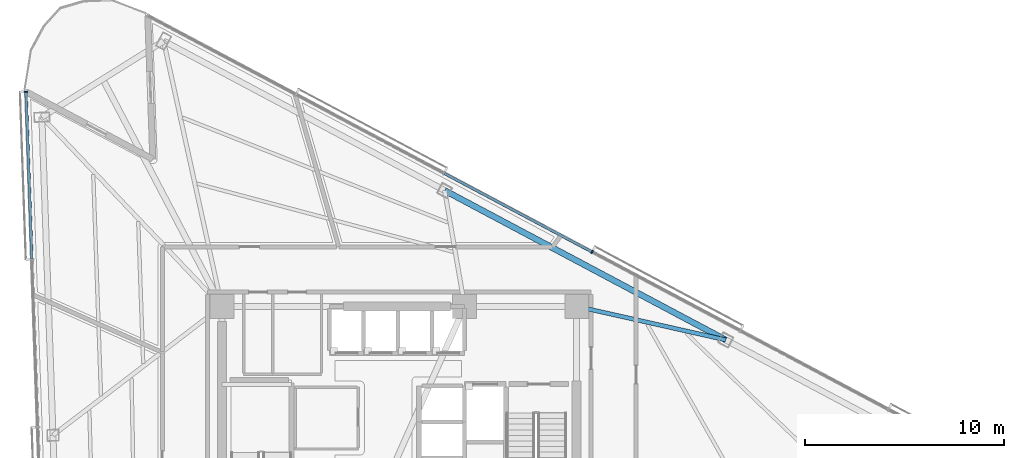
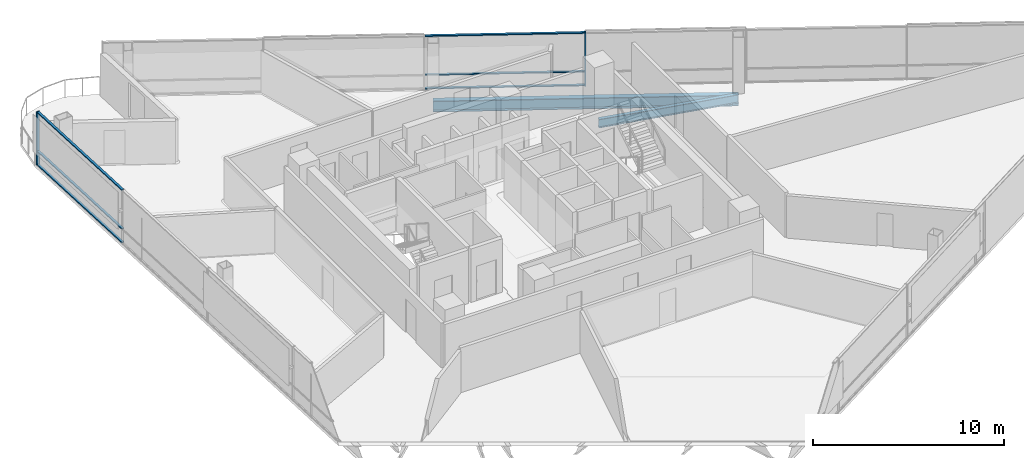
# One storey, part 8 of 21: 8 members, 2 beams, 2 elements without a shape of their own.
"""IFC4 building model written with IfcOpenShell, lengths in metres."""

from ifc_helpers import new_model, si_unit, direction, frame, origin, origin_2d, place, context, subcontext, project, spatial, rectangle, i_section, extrude, material, layer, layer_set, material_profile, profile_set, type_object, element, aggregate, save


model = new_model("IFC4")

# Units and contexts
model_context = context("Model", 3, precision=1e-05, world=origin(), true_north=direction((0.0, 1.0)))
body_context = subcontext(model_context, "Body", "Model", "MODEL_VIEW")
ifc_project = project(units=[si_unit("LENGTHUNIT", "METRE"), si_unit("AREAUNIT", "SQUARE_METRE"), si_unit("VOLUMEUNIT", "CUBIC_METRE"), si_unit("PLANEANGLEUNIT", "RADIAN"), si_unit("MASSUNIT", "GRAM", prefix="KILO")], contexts=[model_context])

# Site, building, storey
site_placement = place(None, origin())
site = spatial("IfcSite", under=ifc_project, at=site_placement, CompositionType="ELEMENT")
building_placement = place(site_placement, origin())
building = spatial("IfcBuilding", under=site, at=building_placement, Name="Tharavind Bronze Gate", CompositionType="ELEMENT")
storey_placement = place(building_placement, frame((0.0, 0.0, 142.39990234375)))
storey = spatial("IfcBuildingStorey", under=building, at=storey_placement, Name="L36", CompositionType="ELEMENT", Elevation=142.39990234375)

# Curtain wall, member
ifc_material_1 = material(Name="Anodised Bronze Aluminium", Category="aluminium")
ifc_layer = layer(ifc_material_1, 0.219970703125)
ifc_layer_set = layer_set([ifc_layer], Name="Anodised Bronze Aluminium")
curtain_wall_type = type_object("IfcCurtainWallType", Name="UNITISED CURTAIN WALL MID OFFICE", PredefinedType="USERDEFINED", material=ifc_layer_set)
curtain_wall_1_placement = place(storey_placement, origin())
curtain_wall_1 = element("IfcCurtainWall", 1, at=curtain_wall_1_placement, inside=storey, type_object=curtain_wall_type, Name="L36 unitised curtain wall mid office CW-L36-S1", ObjectType="UNITISED CURTAIN WALL", PredefinedType="USERDEFINED")
member_type_1 = type_object("IfcMemberType", Name="CURTAIN WALL BRONZE MULLION 65X180", PredefinedType="MULLION", material=ifc_material_1)
member_1_placement = place(storey_placement, frame((-18.7197265625, 18.364501953125, 0.0), z_axis=(0.0, 0.0, 1.0), x_axis=(0.034899496703, -0.999390827019, 0.0)))
member_1 = element("IfcMember", 2, at=member_1_placement, type_object=member_type_1, Name="CW-L36-S1 mullion 1", PredefinedType="MULLION", context=body_context, shape_type="SweptSolid", body=[
    extrude(rectangle(XDim=0.06494140625, YDim=0.179931640625, at=origin_2d()), origin(), (0.0, 0.0, 1.0), 3.409912109375),
])

curtain_wall_2_placement = place(storey_placement, origin())
curtain_wall_2 = element("IfcCurtainWall", 3, at=curtain_wall_2_placement, inside=storey, type_object=curtain_wall_type, Name="L36 unitised curtain wall mid office CW-L36-S3", ObjectType="UNITISED CURTAIN WALL", PredefinedType="USERDEFINED")
member_2_placement = place(storey_placement, frame((9.6748046875, 10.32861328125, 0.0), z_axis=(0.0, 0.0, 1.0), x_axis=(-0.882947592859, 0.469471562786, 0.0)))
member_2 = element("IfcMember", 4, at=member_2_placement, type_object=member_type_1, Name="CW-L36-S3 mullion 4", PredefinedType="MULLION", context=body_context, shape_type="SweptSolid", body=[
    extrude(rectangle(XDim=0.06494140625, YDim=0.179931640625, at=origin_2d()), origin(), (0.0, 0.0, 1.0), 3.409912109375),
])

# Member
member_type_2 = type_object("IfcMemberType", Name="CURTAIN WALL BRONZE TRANSOM 65X140", PredefinedType="USERDEFINED", material=ifc_material_1)
member_3_placement = place(storey_placement, frame((-18.572998046875, 14.159912109375, 0.000244140625), z_axis=(0.0, 0.0, 1.0), x_axis=(0.034899496703, -0.999390827019, 0.0)))
member_3 = element("IfcMember", 5, at=member_3_placement, type_object=member_type_2, Name="CW-L36-S1 transom TB1", ObjectType="TRANSOM", PredefinedType="USERDEFINED", context=body_context, shape_type="SweptSolid", body=[
    extrude(rectangle(XDim=8.361572265625, YDim=0.139892578125, at=origin_2d()), origin(), (0.0, 0.0, 1.0), 0.06494140625),
])

member_4_placement = place(storey_placement, frame((-18.572998046875, 14.159912109375, 0.86767578125), z_axis=(0.0, 0.0, 1.0), x_axis=(0.034899496703, -0.999390827019, 0.0)))
member_4 = element("IfcMember", 6, at=member_4_placement, type_object=member_type_2, Name="CW-L36-S1 transom TS1", ObjectType="TRANSOM", PredefinedType="USERDEFINED", context=body_context, shape_type="SweptSolid", body=[
    extrude(rectangle(XDim=8.361572265625, YDim=0.139892578125, at=origin_2d()), origin(), (0.0, 0.0, 1.0), 0.06494140625),
])

member_5_placement = place(storey_placement, frame((-18.572998046875, 14.159912109375, 3.34521484375), z_axis=(0.0, 0.0, 1.0), x_axis=(0.034899496703, -0.999390827019, 0.0)))
member_5 = element("IfcMember", 7, at=member_5_placement, type_object=member_type_2, Name="CW-L36-S1 transom TT1", ObjectType="TRANSOM", PredefinedType="USERDEFINED", context=body_context, shape_type="SweptSolid", body=[
    extrude(rectangle(XDim=8.361572265625, YDim=0.139892578125, at=origin_2d()), origin(), (0.0, 0.0, 1.0), 0.06494140625),
])

aggregate(curtain_wall_1, [member_1, member_3, member_4, member_5])

member_6_placement = place(storey_placement, frame((5.960205078125, 12.303955078125, 0.000244140625), z_axis=(0.0, 0.0, 1.0), x_axis=(-0.882947592859, 0.469471562786, 0.0)))
member_6 = element("IfcMember", 8, at=member_6_placement, type_object=member_type_2, Name="CW-L36-S3 transom TB4", ObjectType="TRANSOM", PredefinedType="USERDEFINED", context=body_context, shape_type="SweptSolid", body=[
    extrude(rectangle(XDim=8.361572265625, YDim=0.139892578125, at=origin_2d()), origin(), (0.0, 0.0, 1.0), 0.06494140625),
])

member_7_placement = place(storey_placement, frame((5.960205078125, 12.303955078125, 0.86767578125), z_axis=(0.0, 0.0, 1.0), x_axis=(-0.882947592859, 0.469471562786, 0.0)))
member_7 = element("IfcMember", 9, at=member_7_placement, type_object=member_type_2, Name="CW-L36-S3 transom TS4", ObjectType="TRANSOM", PredefinedType="USERDEFINED", context=body_context, shape_type="SweptSolid", body=[
    extrude(rectangle(XDim=8.361572265625, YDim=0.139892578125, at=origin_2d()), origin(), (0.0, 0.0, 1.0), 0.06494140625),
])

member_8_placement = place(storey_placement, frame((5.960205078125, 12.303955078125, 3.34521484375), z_axis=(0.0, 0.0, 1.0), x_axis=(-0.882947592859, 0.469471562786, 0.0)))
member_8 = element("IfcMember", 10, at=member_8_placement, type_object=member_type_2, Name="CW-L36-S3 transom TT4", ObjectType="TRANSOM", PredefinedType="USERDEFINED", context=body_context, shape_type="SweptSolid", body=[
    extrude(rectangle(XDim=8.361572265625, YDim=0.139892578125, at=origin_2d()), origin(), (0.0, 0.0, 1.0), 0.06494140625),
])

aggregate(curtain_wall_2, [member_2, member_6, member_7, member_8])

# Beams
ifc_material_2 = material(Name="Steel S355", Category="steel")
ifc_material_profile_1 = material_profile(ifc_material_2, i_section(OverallWidth=0.2099609375, OverallDepth=0.550048828125, WebThickness=0.010986328125, FlangeThickness=0.01708984375, at=origin_2d()), Name="IPE550")
ifc_profile_set_1 = profile_set([ifc_material_profile_1], Name="Steel S355")
beam_type_1 = type_object("IfcBeamType", Name="PRIMARY GIRDER IPE550", PredefinedType="USERDEFINED", material=ifc_profile_set_1)
beam_1_placement = place(storey_placement, frame((16.3701171875, 5.91943359375, -0.46484375), z_axis=(-0.97561351158, 0.219495503422, 0.0), x_axis=(-0.219495503422, -0.97561351158, 0.0)))
element("IfcBeam", 11, at=beam_1_placement, inside=storey, type_object=beam_type_1, Name="L36 primary girder ipe550 BM-L36-RAD10", ObjectType="GIRDER", PredefinedType="USERDEFINED", context=body_context, shape_type="SweptSolid", body=[
    extrude(i_section(OverallWidth=0.2099609375, OverallDepth=0.550048828125, WebThickness=0.010986328125, FlangeThickness=0.01708984375, at=origin_2d()), origin(), (0.0, 0.0, 1.0), 7.656982421875),
])
ifc_material_profile_2 = material_profile(ifc_material_2, i_section(OverallWidth=0.300048828125, OverallDepth=0.699951171875, WebThickness=0.01708984375, FlangeThickness=0.031982421875, at=origin_2d()), Name="HE700B")
ifc_profile_set_2 = profile_set([ifc_material_profile_2], Name="Steel S355")
beam_type_2 = type_object("IfcBeamType", Name="RING GIRDER HE700B", PredefinedType="USERDEFINED", material=ifc_profile_set_2)
beam_2_placement = place(storey_placement, frame((16.3701171875, 5.91943359375, -0.539794921875), z_axis=(-0.882948335869, 0.469470165385, 0.0), x_axis=(-0.469470165385, -0.882948335869, 0.0)))
element("IfcBeam", 12, at=beam_2_placement, inside=storey, type_object=beam_type_2, Name="L36 ring girder he700b BM-L36-PRG10", ObjectType="GIRDER", PredefinedType="USERDEFINED", context=body_context, shape_type="SweptSolid", body=[
    extrude(i_section(OverallWidth=0.300048828125, OverallDepth=0.699951171875, WebThickness=0.01708984375, FlangeThickness=0.031982421875, at=origin_2d()), origin(), (0.0, 0.0, 1.0), 15.962890625),
])

save(model, "model.ifc")
